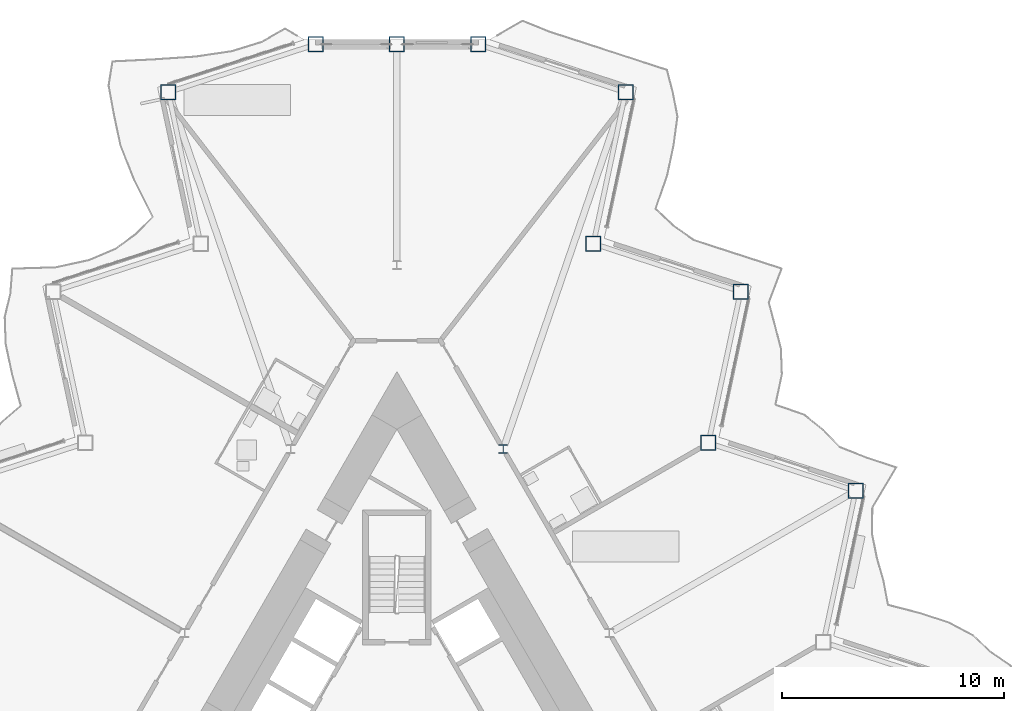
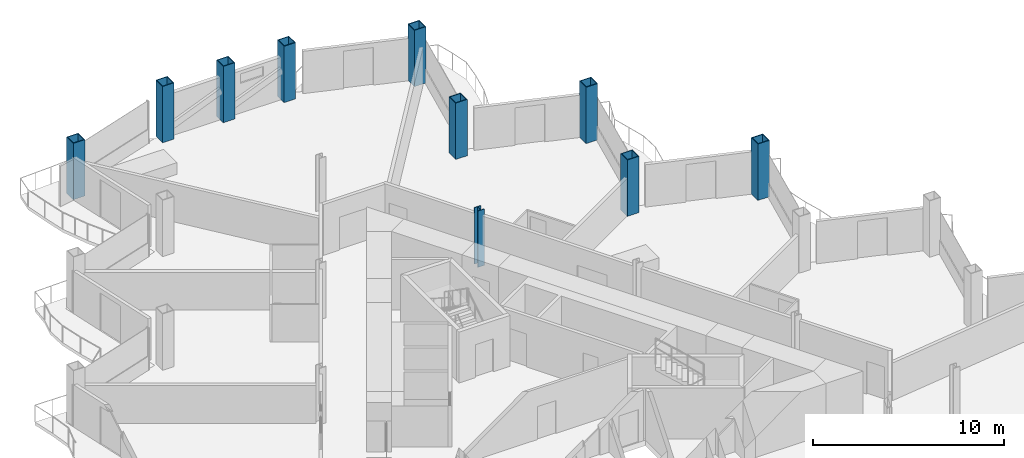
# One storey, part 3 of 23: 10 columns.
"""IFC4 building model written with IfcOpenShell, lengths in metres."""

from ifc_helpers import new_model, si_unit, direction, frame, origin, origin_2d, place, context, subcontext, project, spatial, hollow_rectangle, i_section, extrude, material, material_profile, profile_set, type_object, element, save


model = new_model("IFC4")

# Units and contexts
model_context = context("Model", 3, precision=1e-05, world=origin(), true_north=direction((0.0, 1.0)))
body_context = subcontext(model_context, "Body", "Model", "MODEL_VIEW")
ifc_project = project(units=[si_unit("LENGTHUNIT", "METRE"), si_unit("AREAUNIT", "SQUARE_METRE"), si_unit("VOLUMEUNIT", "CUBIC_METRE"), si_unit("PLANEANGLEUNIT", "RADIAN"), si_unit("MASSUNIT", "GRAM", prefix="KILO")], contexts=[model_context])

# Site, building, storey
site_placement = place(None, origin())
site = spatial("IfcSite", under=ifc_project, at=site_placement, CompositionType="ELEMENT")
building_placement = place(site_placement, origin())
building = spatial("IfcBuilding", under=site, at=building_placement, Name="Cormorant Prow Tower", CompositionType="ELEMENT")
storey_placement = place(building_placement, frame((0.0, 0.0, 245.39990234375)))
storey = spatial("IfcBuildingStorey", under=building, at=storey_placement, Name="L54", CompositionType="ELEMENT", Elevation=245.39990234375)

# Columns
ifc_material_1 = material(Name="Structural steel ASTM A572 Gr 50", Category="steel")
ifc_material_profile_1 = material_profile(ifc_material_1, hollow_rectangle(XDim=0.699951171875, YDim=0.699951171875, WallThickness=0.044921875, at=origin_2d()), Name="Box 700x700x45")
ifc_profile_set_1 = profile_set([ifc_material_profile_1], Name="Structural steel ASTM A572 Gr 50")
column_type_1 = type_object("IfcColumnType", Name="Perimeter box column 700x700x45", PredefinedType="COLUMN", material=ifc_profile_set_1)
for number, where, z_axis, x_axis, name in (
    (1, (20.686767578125, 11.943359375, 0.0), (0.0, 0.0, 1.0), (1.0, 0.0, 0.0), "Perimeter column C5 at ENE05 L54"),
    (2, (14.046875, 14.100830078125, 0.0), (0.0, 0.0, 1.0), (1.0, 0.0, 0.0), "Perimeter column C5 at ENE06 L54"),
    (3, (15.49853515625, 20.9296875, 0.0), (0.0, 0.0, 1.0), (1.0, 0.0, 0.0), "Perimeter column C5 at ENE07 L54"),
    (4, (8.858642578125, 23.087158203125, 0.0), (0.0, 0.0, 1.0), (1.0, 0.0, 0.0), "Perimeter column C5 at ENE08 L54"),
    (5, (10.310302734375, 29.916015625, 0.0), (0.0, 0.0, 1.0), (1.0, 0.0, 0.0), "Perimeter column C5 at ENE09 L54"),
    (6, (3.67041015625, 32.073486328125, 0.0), (0.0, 0.0, 1.0), (1.0, 0.0, 0.0), "Perimeter column C5 at N00 L54"),
    (7, (0.0, 32.073486328125, 0.0), (0.0, 0.0, 1.0), (1.0, 0.0, 0.0), "Perimeter column C5 at N01 L54"),
    (8, (-3.67041015625, 32.073486328125, 0.0), (0.0, 0.0, 1.0), (1.0, 0.0, 0.0), "Perimeter column C5 at WNW00 L54"),
    (9, (-10.310302734375, 29.916015625, 0.0), (0.0, 0.0, 1.0), (1.0, 0.0, 0.0), "Perimeter column C5 at WNW01 L54"),
):
    element("IfcColumn", number, at=place(storey_placement, frame(where, z_axis=z_axis, x_axis=x_axis)), inside=storey, type_object=column_type_1, Name=name, PredefinedType="COLUMN", context=body_context, shape_type="SweptSolid", body=[
        extrude(hollow_rectangle(XDim=0.699951171875, YDim=0.699951171875, WallThickness=0.044921875, at=origin_2d()), origin(), (0.0, 0.0, 1.0), 3.60009765625),
    ])
ifc_material_2 = material(Name="Structural steel ASTM A992 Gr 50", Category="steel")
ifc_material_profile_2 = material_profile(ifc_material_2, i_section(OverallWidth=0.39892578125, OverallDepth=0.393310546875, WebThickness=0.022705078125, FlangeThickness=0.03662109375, at=origin_2d()), Name="W14x193")
ifc_profile_set_2 = profile_set([ifc_material_profile_2], Name="Structural steel ASTM A992 Gr 50")
column_type_2 = type_object("IfcColumnType", Name="Ring column W14x193", PredefinedType="COLUMN", material=ifc_profile_set_2)
column_placement = place(storey_placement, frame((4.789306640625, 13.8251953125, 0.0), z_axis=(0.0, 0.0, 1.0), x_axis=(1.0, 0.0, 0.0)))
element("IfcColumn", 10, at=column_placement, inside=storey, type_object=column_type_2, Name="Ring column 12 L54", PredefinedType="COLUMN", context=body_context, shape_type="SweptSolid", body=[
    extrude(i_section(OverallWidth=0.39892578125, OverallDepth=0.393310546875, WebThickness=0.022705078125, FlangeThickness=0.03662109375, at=origin_2d()), origin(), (0.0, 0.0, 1.0), 3.60009765625),
])

save(model, "model.ifc")
